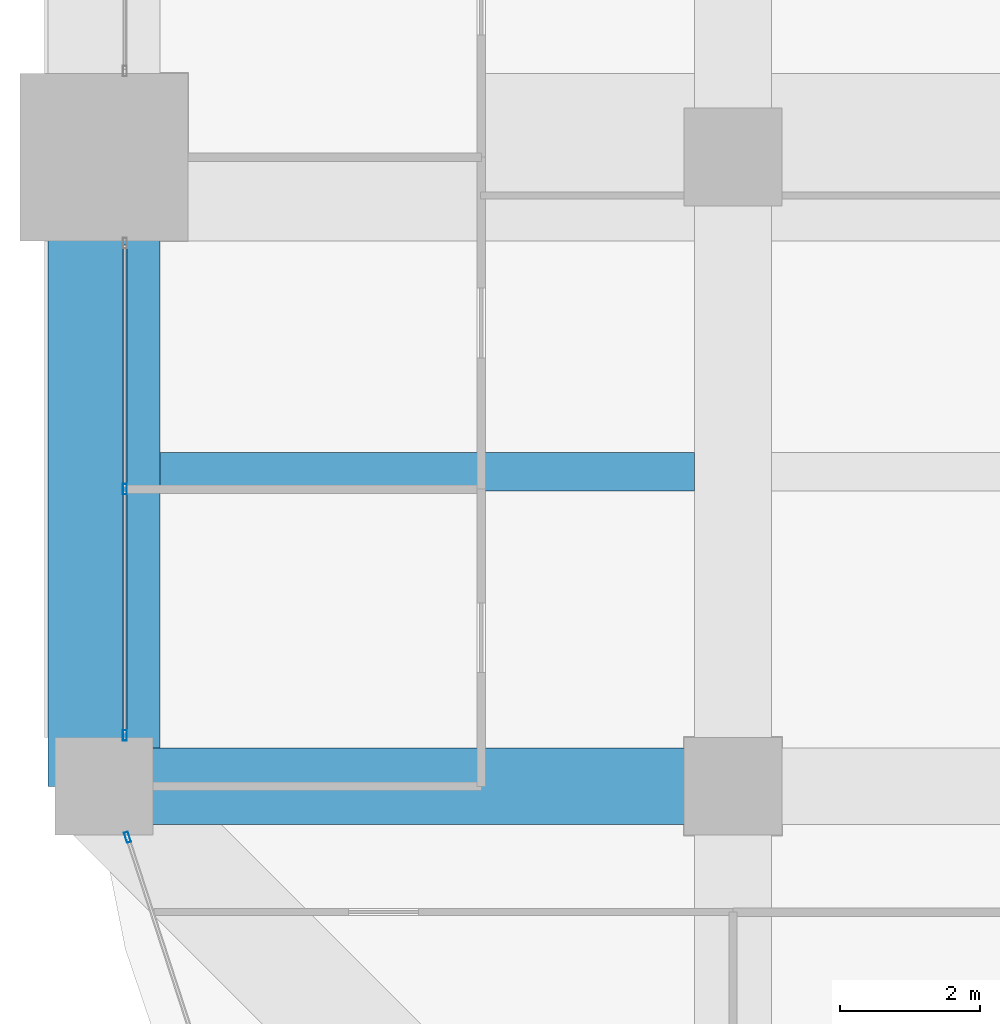
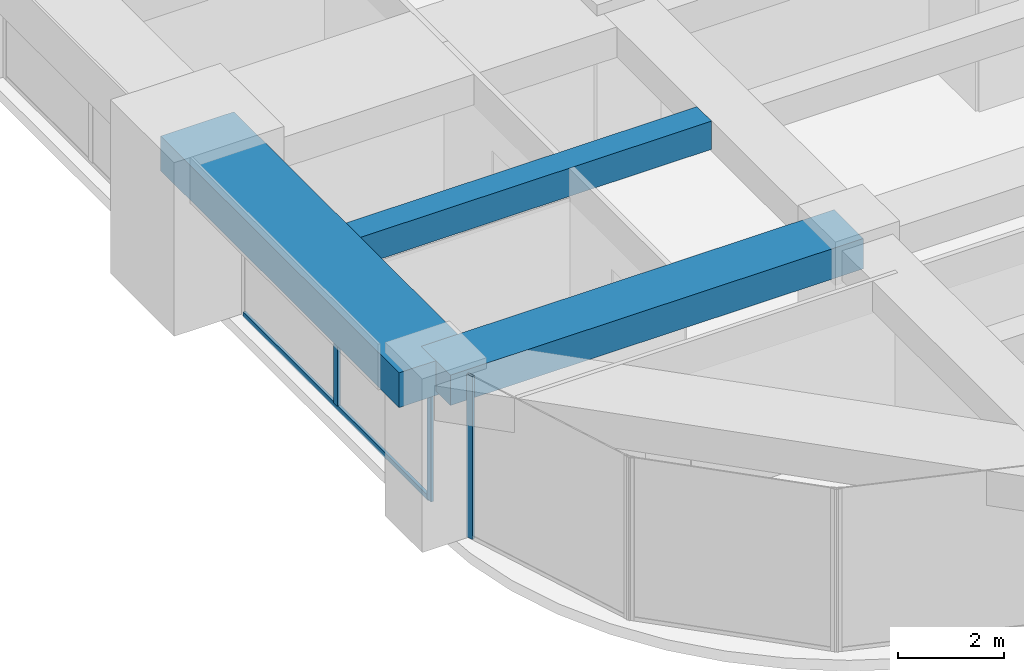
# One storey, part 4 of 35: 4 members, 3 beams, 2 elements without a shape of their own.
"""IFC4 building model written with IfcOpenShell, lengths in metres."""

from ifc_helpers import new_model, si_unit, direction, frame, origin, origin_2d, place, context, subcontext, project, spatial, rectangle, hollow_rectangle, extrude, material, material_profile, profile_set, type_object, element, aggregate, save


model = new_model("IFC4")

# Units and contexts
model_context = context("Model", 3, precision=1e-05, world=origin(), true_north=direction((0.0, 1.0)))
body_context = subcontext(model_context, "Body", "Model", "MODEL_VIEW")
ifc_project = project(units=[si_unit("LENGTHUNIT", "METRE"), si_unit("AREAUNIT", "SQUARE_METRE"), si_unit("VOLUMEUNIT", "CUBIC_METRE"), si_unit("PLANEANGLEUNIT", "RADIAN"), si_unit("MASSUNIT", "GRAM", prefix="KILO")], contexts=[model_context])

# Site, building, storey
site_placement = place(None, origin())
site = spatial("IfcSite", under=ifc_project, at=site_placement, CompositionType="ELEMENT")
building_placement = place(site_placement, origin())
building = spatial("IfcBuilding", under=site, at=building_placement, Name="Zorevar Civic Tower", CompositionType="ELEMENT")
storey_placement = place(building_placement, frame((0.0, 0.0, 218.199951171875)))
storey = spatial("IfcBuildingStorey", under=building, at=storey_placement, Name="L53", CompositionType="ELEMENT", Elevation=218.199951171875)

# Beams
ifc_material_1 = material(Name="Concrete C50/60", Category="concrete")
ifc_material_profile_1 = material_profile(ifc_material_1, rectangle(XDim=1.10009765625, YDim=0.699951171875, at=origin_2d()), Name="RC 1100x700")
ifc_profile_set_1 = profile_set([ifc_material_profile_1], Name="Concrete C50/60")
beam_type_1 = type_object("IfcBeamType", Name="Beam RC 1100x700", PredefinedType="BEAM", material=ifc_profile_set_1)
beam_1_placement = place(storey_placement, frame((0.0, 9.0, 3.400146484375), z_axis=(1.0, 0.0, 0.0), x_axis=(0.0, 1.0, 0.0)))
element("IfcBeam", 1, at=beam_1_placement, inside=storey, type_object=beam_type_1, Name="Girder L54", PredefinedType="BEAM", context=body_context, shape_type="SweptSolid", body=[
    extrude(rectangle(XDim=1.10009765625, YDim=0.699951171875, at=origin_2d()), origin(), (0.0, 0.0, 1.0), 9.0),
])
ifc_material_2 = material(Name="Concrete C50/60", Category="concrete")
ifc_material_profile_2 = material_profile(ifc_material_2, rectangle(XDim=0.550048828125, YDim=0.64990234375, at=origin_2d()), Name="RC 550x650")
ifc_profile_set_2 = profile_set([ifc_material_profile_2], Name="Concrete C50/60")
beam_type_2 = type_object("IfcBeamType", Name="Beam RC 550x650", PredefinedType="BEAM", material=ifc_profile_set_2)
beam_2_placement = place(storey_placement, frame((0.800048828125, 13.5, 3.425048828125), z_axis=(1.0, 0.0, 0.0), x_axis=(0.0, 1.0, 0.0)))
element("IfcBeam", 2, at=beam_2_placement, inside=storey, type_object=beam_type_2, Name="Secondary beam L54", PredefinedType="BEAM", context=body_context, shape_type="SweptSolid", body=[
    extrude(rectangle(XDim=0.550048828125, YDim=0.64990234375, at=origin_2d()), origin(), (0.0, 0.0, 1.0), 7.64990234375),
])

# Curtain wall, members
ifc_material_3 = material(Name="Dark grey solar-control glass in black aluminium frame", Category="aluminium")
curtain_wall_type = type_object("IfcCurtainWallType", Name="Curtain wall CW4 high zone", PredefinedType="NOTDEFINED", material=ifc_material_3)
curtain_wall_1_placement = place(storey_placement, origin())
curtain_wall_1 = element("IfcCurtainWall", 3, at=curtain_wall_1_placement, inside=storey, type_object=curtain_wall_type, Name="CW4 L53", PredefinedType="NOTDEFINED")
ifc_material_4 = material(Name="Aluminium, black anodised", Category="aluminium")
ifc_material_profile_3 = material_profile(ifc_material_4, hollow_rectangle(XDim=0.06005859375, YDim=0.14990234375, WallThickness=0.00390625, at=origin_2d()), Name="AL 150x60x4")
ifc_profile_set_3 = profile_set([ifc_material_profile_3], Name="Aluminium, black anodised")
member_type_1 = type_object("IfcMemberType", Name="CW4 mullion AL 150x60x4", PredefinedType="MULLION", material=ifc_profile_set_3)
member_1_placement = place(storey_placement, frame((0.300048828125, 9.72998046875, 0.0), z_axis=(0.0, 0.0, 1.0), x_axis=(-1.0, 0.0, 0.0)))
member_1 = element("IfcMember", 4, at=member_1_placement, type_object=member_type_1, Name="CW4 mullion 1", PredefinedType="MULLION", context=body_context, shape_type="SweptSolid", body=[
    extrude(hollow_rectangle(XDim=0.06005859375, YDim=0.14990234375, WallThickness=0.00390625, at=origin_2d()), origin(), (0.0, 0.0, 1.0), 2.949951171875),
])
member_2_placement = place(storey_placement, frame((0.300048828125, 13.25, 0.06005859375), z_axis=(0.0, 0.0, 1.0), x_axis=(-1.0, 0.0, 0.0)))
member_2 = element("IfcMember", 5, at=member_2_placement, type_object=member_type_1, Name="CW4 mullion 2", PredefinedType="MULLION", context=body_context, shape_type="SweptSolid", body=[
    extrude(hollow_rectangle(XDim=0.06005859375, YDim=0.14990234375, WallThickness=0.00390625, at=origin_2d()), origin(), (0.0, 0.0, 1.0), 2.889892578125),
])

# Curtain wall, member
curtain_wall_2_placement = place(storey_placement, origin())
curtain_wall_2 = element("IfcCurtainWall", 6, at=curtain_wall_2_placement, inside=storey, type_object=curtain_wall_type, Name="CW4 L53", PredefinedType="NOTDEFINED")
member_3_placement = place(storey_placement, frame((0.337646484375, 8.271484375, 0.0), z_axis=(0.0, 0.0, 1.0), x_axis=(0.950644749916, 0.310281419775, 0.0)))
member_3 = element("IfcMember", 7, at=member_3_placement, type_object=member_type_1, Name="CW4 mullion 1", PredefinedType="MULLION", context=body_context, shape_type="SweptSolid", body=[
    extrude(hollow_rectangle(XDim=0.06005859375, YDim=0.14990234375, WallThickness=0.00390625, at=origin_2d()), origin(), (0.0, 0.0, 1.0), 3.75),
])
aggregate(curtain_wall_2, [member_3])

# Member
ifc_material_5 = material(Name="Aluminium, black anodised", Category="aluminium")
ifc_material_profile_4 = material_profile(ifc_material_5, hollow_rectangle(XDim=0.06005859375, YDim=0.1201171875, WallThickness=0.0029296875, at=origin_2d()), Name="AL 120x60x3")
ifc_profile_set_4 = profile_set([ifc_material_profile_4], Name="Aluminium, black anodised")
member_type_2 = type_object("IfcMemberType", Name="CW4 transom AL 120x60x3", PredefinedType="USERDEFINED", material=ifc_profile_set_4)
member_4_placement = place(storey_placement, frame((0.300048828125, 9.760009765625, 0.030029296875), z_axis=(0.0, 1.0, 0.0), x_axis=(-1.0, 0.0, 0.0)))
member_4 = element("IfcMember", 8, at=member_4_placement, type_object=member_type_2, Name="CW4 sill transom", ObjectType="TRANSOM", PredefinedType="USERDEFINED", context=body_context, shape_type="SweptSolid", body=[
    extrude(hollow_rectangle(XDim=0.06005859375, YDim=0.1201171875, WallThickness=0.0029296875, at=origin_2d()), origin(), (0.0, 0.0, 1.0), 6.97998046875),
])

aggregate(curtain_wall_1, [member_1, member_2, member_4])

# Beam
ifc_material_6 = material(Name="Concrete C50/60", Category="concrete")
ifc_material_profile_5 = material_profile(ifc_material_6, rectangle(XDim=1.60009765625, YDim=0.800048828125, at=origin_2d()), Name="RC 1600x800")
ifc_profile_set_5 = profile_set([ifc_material_profile_5], Name="Concrete C50/60")
beam_type_3 = type_object("IfcBeamType", Name="Edge beam RC 1600x800", PredefinedType="SPANDREL", material=ifc_profile_set_5)
beam_3_placement = place(storey_placement, frame((0.0, 9.0, 3.35009765625), z_axis=(0.0, 1.0, 0.0), x_axis=(-1.0, 0.0, 0.0)))
element("IfcBeam", 9, at=beam_3_placement, inside=storey, type_object=beam_type_3, Name="Edge beam L54", PredefinedType="SPANDREL", context=body_context, shape_type="SweptSolid", body=[
    extrude(rectangle(XDim=1.60009765625, YDim=0.800048828125, at=origin_2d()), origin(), (0.0, 0.0, 1.0), 9.0),
])

save(model, "model.ifc")
